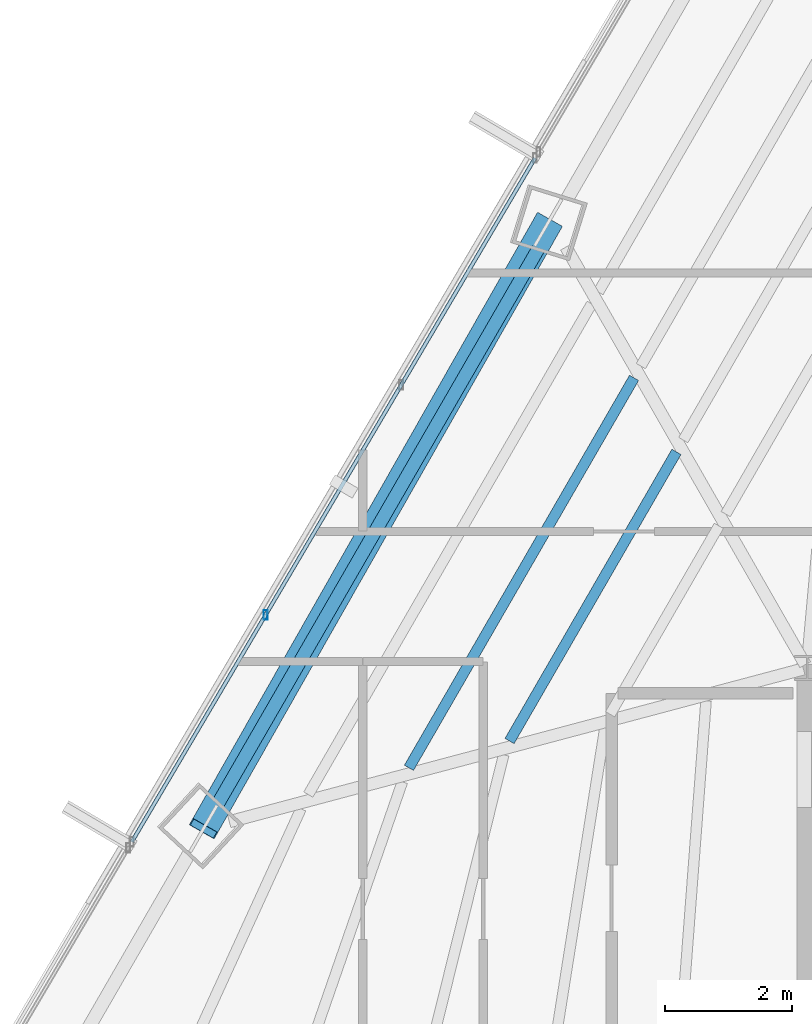
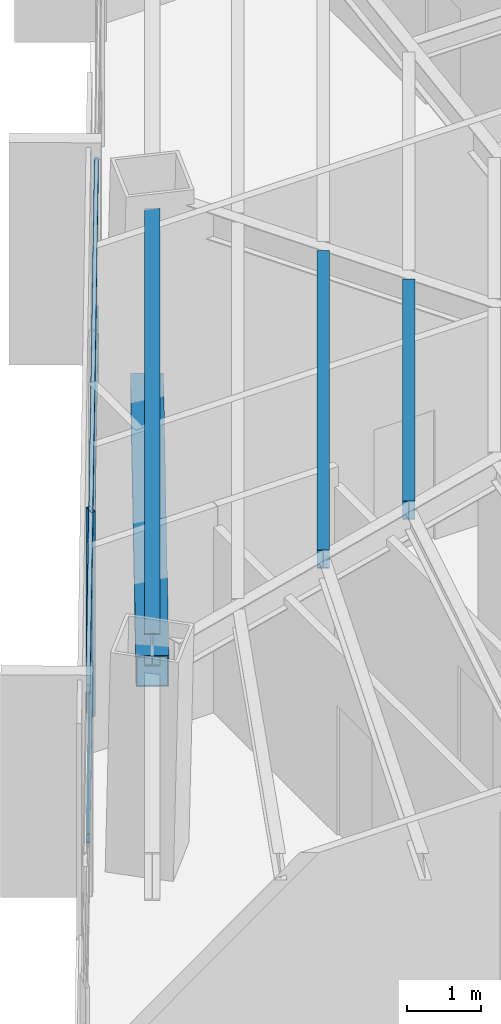
# One storey, part 14 of 41: 4 members, 3 beams, 1 element without a shape of its own.
"""IFC4 building model written with IfcOpenShell, lengths in metres."""

from ifc_helpers import new_model, si_unit, direction, frame, origin, origin_2d, place, context, subcontext, project, spatial, hollow_rectangle, i_section, extrude, source, transform, mapped, material, material_profile, profile_set, type_object, type_shapes, element, aggregate, save


model = new_model("IFC4")

# Units and contexts
model_context = context("Model", 3, precision=1e-05, world=origin(), true_north=direction((0.0, 1.0)))
body_context = subcontext(model_context, "Body", "Model", "MODEL_VIEW")
ifc_project = project(units=[si_unit("LENGTHUNIT", "METRE"), si_unit("AREAUNIT", "SQUARE_METRE"), si_unit("VOLUMEUNIT", "CUBIC_METRE"), si_unit("PLANEANGLEUNIT", "RADIAN"), si_unit("MASSUNIT", "GRAM", prefix="KILO")], contexts=[model_context])

# Site, building, storey
site_placement = place(None, origin())
site = spatial("IfcSite", under=ifc_project, at=site_placement, CompositionType="ELEMENT")
building_placement = place(site_placement, origin())
building = spatial("IfcBuilding", under=site, at=building_placement, Name="Caelisora Broadcast Tower", CompositionType="ELEMENT")
storey_placement = place(building_placement, frame((0.0, 0.0, 162.14990234375)))
storey = spatial("IfcBuildingStorey", under=building, at=storey_placement, Name="L42", CompositionType="ELEMENT", Elevation=162.14990234375)

# Beams
ifc_material_1 = material(Name="Steel Grade 350 (AS/NZS 3679.1)", Category="steel")
ifc_material_profile_1 = material_profile(ifc_material_1, i_section(OverallWidth=0.208984375, OverallDepth=0.532958984375, WebThickness=0.01025390625, FlangeThickness=0.015625, at=origin_2d()), Name="Steel Grade 350 (AS/NZS 3679.1)")
ifc_profile_set_1 = profile_set([ifc_material_profile_1], Name="Steel Grade 350 (AS/NZS 3679.1)")
beam_type_1 = type_object("IfcBeamType", Name="PG05", PredefinedType="BEAM", material=ifc_profile_set_1)
shared_shape_1 = source(origin(), body_context, "Body", "SweptSolid", [
    extrude(i_section(OverallWidth=0.208984375, OverallDepth=0.532958984375, WebThickness=0.01025390625, FlangeThickness=0.015625, at=origin_2d()), origin(), (0.0, 0.0, 1.0), 10.07568359375),
])
type_shapes(beam_type_1, [shared_shape_1])
beam_1_placement = place(storey_placement, frame((26.261962890625, 36.59423828125, 3.133544921875), z_axis=(-0.49999861938, -0.866026200884, 0.0), x_axis=(0.866026200884, -0.49999861938, 0.0)))
element("IfcBeam", 1, at=beam_1_placement, inside=storey, type_object=beam_type_1, Name="L42 beam PG05", PredefinedType="BEAM", context=body_context, shape_type="MappedRepresentation", body=[
    mapped(shared_shape_1, transform((0.0, 0.0, 0.0), scale=1.0)),
])
ifc_material_profile_2 = material_profile(ifc_material_1, i_section(OverallWidth=0.166015625, OverallDepth=0.30712890625, WebThickness=0.006591796875, FlangeThickness=0.01171875, at=origin_2d()), Name="Steel Grade 350 (AS/NZS 3679.1)")
ifc_profile_set_2 = profile_set([ifc_material_profile_2], Name="Steel Grade 350 (AS/NZS 3679.1)")
beam_type_2 = type_object("IfcBeamType", Name="SB03", PredefinedType="JOIST", material=ifc_profile_set_2)
shared_shape_2 = source(origin(), body_context, "Body", "SweptSolid", [
    extrude(i_section(OverallWidth=0.166015625, OverallDepth=0.30712890625, WebThickness=0.006591796875, FlangeThickness=0.01171875, at=origin_2d()), origin(), (0.0, 0.0, 1.0), 5.258544921875),
])
beam_2_placement = place(storey_placement, frame((28.442138671875, 33.4033203125, 3.24658203125), z_axis=(-0.499968942963, -0.866043333831, 0.0), x_axis=(0.866043333831, -0.499968942963, 0.0)))
element("IfcBeam", 2, at=beam_2_placement, inside=storey, type_object=beam_type_2, Name="L42 beam SB03", PredefinedType="JOIST", context=body_context, shape_type="MappedRepresentation", body=[
    mapped(shared_shape_2, transform((0.0, 0.0, 0.0), scale=1.0)),
])
shared_shape_3 = source(origin(), body_context, "Body", "SweptSolid", [
    extrude(i_section(OverallWidth=0.166015625, OverallDepth=0.30712890625, WebThickness=0.006591796875, FlangeThickness=0.01171875, at=origin_2d()), origin(), (0.0, 0.0, 1.0), 7.09130859375),
])
type_shapes(beam_type_2, [shared_shape_2, shared_shape_3])
beam_3_placement = place(storey_placement, frame((27.774169921875, 34.568603515625, 3.24658203125), z_axis=(-0.5000085554, -0.866020464266, 0.0), x_axis=(0.866020464266, -0.5000085554, 0.0)))
element("IfcBeam", 3, at=beam_3_placement, inside=storey, type_object=beam_type_2, Name="L42 beam SB03", PredefinedType="JOIST", context=body_context, shape_type="MappedRepresentation", body=[
    mapped(shared_shape_3, transform((0.0, 0.0, 0.0), scale=1.0)),
])

# Member
ifc_material_2 = material(Name="Steel Grade 450 (AS/NZS 1163 C450L0)", Category="steel")
ifc_material_profile_3 = material_profile(ifc_material_2, hollow_rectangle(XDim=0.449951171875, YDim=0.449951171875, WallThickness=0.01611328125, at=origin_2d()), Name="Steel Grade 450 (AS/NZS 1163 C450L0)")
ifc_profile_set_3 = profile_set([ifc_material_profile_3], Name="Steel Grade 450 (AS/NZS 1163 C450L0)")
member_type_1 = type_object("IfcMemberType", Name="BR03", PredefinedType="BRACE", material=ifc_profile_set_3)
shared_shape_4 = source(origin(), body_context, "Body", "SweptSolid", [
    extrude(hollow_rectangle(XDim=0.449951171875, YDim=0.449951171875, WallThickness=0.01611328125, at=origin_2d()), origin(), (0.0, 0.0, 1.0), 11.38232421875),
])
type_shapes(member_type_1, [shared_shape_4])
member_1_placement = place(storey_placement, frame((26.421142578125, 37.0146484375, 0.10009765625), z_axis=(-0.476816155557, -0.838557247031, 0.263568012572), x_axis=(0.869294802416, -0.494293987919, 0.0)))
element("IfcMember", 4, at=member_1_placement, inside=storey, type_object=member_type_1, Name="L42 perimeter brace BR03", PredefinedType="BRACE", context=body_context, shape_type="MappedRepresentation", body=[
    mapped(shared_shape_4, transform((0.0, 0.0, 0.0), scale=1.0)),
])

# Curtain wall, members
ifc_material_3 = material(Name="Unitised Aluminium Insulated Shadow-Box Spandrel Curtain Wall", Category="aluminium")
curtain_wall_type = type_object("IfcCurtainWallType", Name="CW-SP2", PredefinedType="NOTDEFINED", material=ifc_material_3)
curtain_wall_placement = place(storey_placement, origin())
curtain_wall = element("IfcCurtainWall", 5, at=curtain_wall_placement, inside=storey, type_object=curtain_wall_type, Name="L42 curtain wall CW-SP2", PredefinedType="NOTDEFINED")
ifc_material_4 = material(Name="Aluminium 6063-T6 Anodised Terracotta Bronze", Category="aluminium")
ifc_material_profile_4 = material_profile(ifc_material_4, hollow_rectangle(XDim=0.06005859375, YDim=0.14990234375, WallThickness=0.00341796875, at=origin_2d()), Name="Aluminium 6063-T6 Anodised Terracotta Bronze")
ifc_profile_set_4 = profile_set([ifc_material_profile_4], Name="Aluminium 6063-T6 Anodised Terracotta Bronze")
member_type_2 = type_object("IfcMemberType", Name="CWM-03", PredefinedType="MULLION", material=ifc_profile_set_4)
shared_shape_5 = source(origin(), body_context, "Body", "SweptSolid", [
    extrude(hollow_rectangle(XDim=0.06005859375, YDim=0.14990234375, WallThickness=0.00341796875, at=origin_2d()), origin(), (0.0, 0.0, 1.0), 3.400146484375),
])
type_shapes(member_type_2, [shared_shape_5])
member_2_placement = place(storey_placement, frame((21.972412109375, 30.836181640625, 0.0), z_axis=(0.0, 0.0, 1.0), x_axis=(1.0, 0.0, 0.0)))
member_2 = element("IfcMember", 6, at=member_2_placement, type_object=member_type_2, Name="L42-CW-B10 mullion #1", PredefinedType="MULLION", context=body_context, shape_type="MappedRepresentation", body=[
    mapped(shared_shape_5, transform((0.0, 0.0, 0.0), scale=1.0)),
])
ifc_material_profile_5 = material_profile(ifc_material_4, hollow_rectangle(XDim=0.06005859375, YDim=0.14990234375, WallThickness=0.00341796875, at=origin_2d()), Name="Aluminium 6063-T6 Anodised Terracotta Bronze")
ifc_profile_set_5 = profile_set([ifc_material_profile_5], Name="Aluminium 6063-T6 Anodised Terracotta Bronze")
member_type_3 = type_object("IfcMemberType", Name="CWT-02", PredefinedType="USERDEFINED", material=ifc_profile_set_5)
shared_shape_6 = source(origin(), body_context, "Body", "SweptSolid", [
    extrude(hollow_rectangle(XDim=0.06005859375, YDim=0.14990234375, WallThickness=0.00341796875, at=origin_2d()), origin(), (0.0, 0.0, 1.0), 12.50244140625),
])
type_shapes(member_type_3, [shared_shape_6])
member_3_placement = place(storey_placement, frame((19.864013671875, 27.2607421875, 0.85009765625), z_axis=(0.507944897875, 0.861389563858, 0.0), x_axis=(-0.861389563858, 0.507944897875, 0.0)))
member_3 = element("IfcMember", 7, at=member_3_placement, type_object=member_type_3, Name="L42-CW-B10 transom #1", ObjectType="TRANSOM", PredefinedType="USERDEFINED", context=body_context, shape_type="MappedRepresentation", body=[
    mapped(shared_shape_6, transform((0.0, 0.0, 0.0), scale=1.0)),
])
member_4_placement = place(storey_placement, frame((19.864013671875, 27.2607421875, 3.320068359375), z_axis=(0.507944897875, 0.861389563858, 0.0), x_axis=(-0.861389563858, 0.507944897875, 0.0)))
member_4 = element("IfcMember", 8, at=member_4_placement, type_object=member_type_3, Name="L42-CW-B10 transom #2", ObjectType="TRANSOM", PredefinedType="USERDEFINED", context=body_context, shape_type="MappedRepresentation", body=[
    mapped(shared_shape_6, transform((0.0, 0.0, 0.0), scale=1.0)),
])
aggregate(curtain_wall, [member_2, member_3, member_4])

save(model, "model.ifc")
